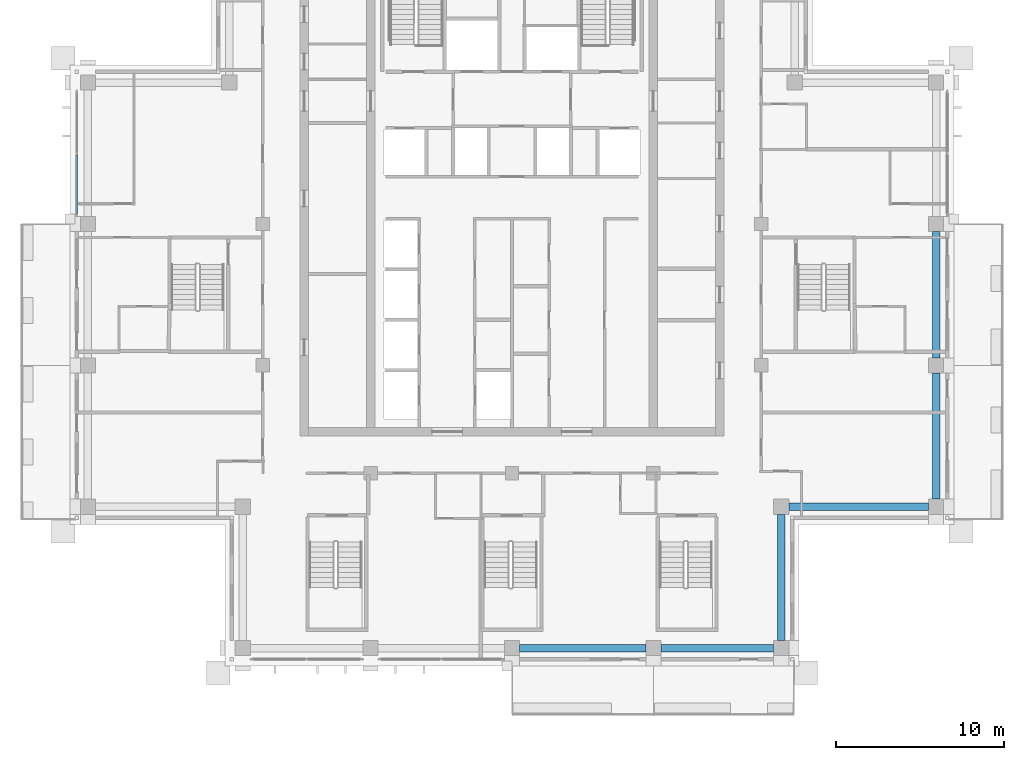
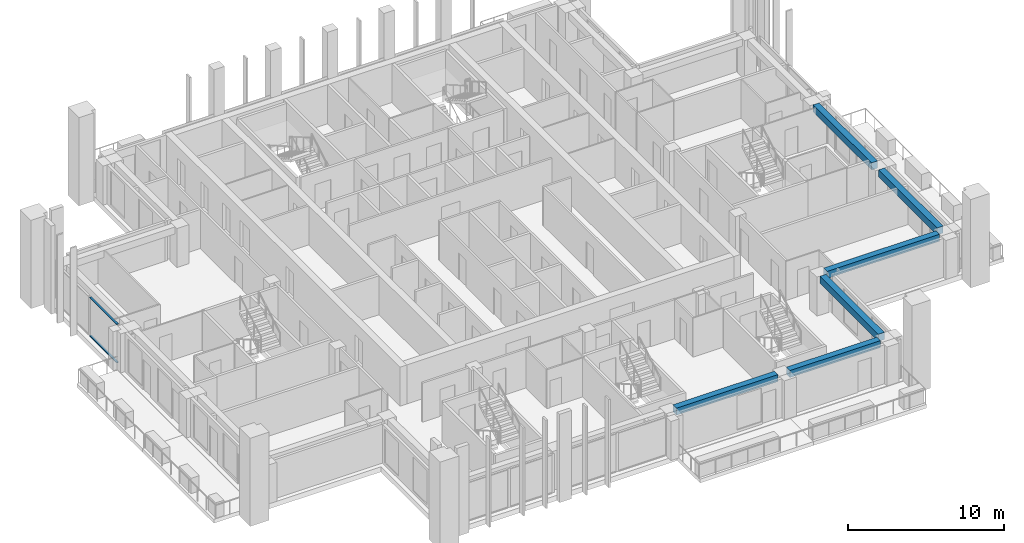
# One storey, part 3 of 18: 6 beams, 2 members, 1 element without a shape of its own.
"""IFC4 building model written with IfcOpenShell, lengths in metres."""

from ifc_helpers import new_model, si_unit, direction, frame, origin, origin_2d, place, context, subcontext, project, spatial, rectangle, extrude, material, material_profile, profile_set, type_object, element, aggregate, save


model = new_model("IFC4")

# Units and contexts
model_context = context("Model", 3, precision=1e-05, world=origin(), true_north=direction((0.0, 1.0)))
body_context = subcontext(model_context, "Body", "Model", "MODEL_VIEW")
ifc_project = project(units=[si_unit("LENGTHUNIT", "METRE"), si_unit("AREAUNIT", "SQUARE_METRE"), si_unit("VOLUMEUNIT", "CUBIC_METRE"), si_unit("PLANEANGLEUNIT", "RADIAN"), si_unit("MASSUNIT", "GRAM", prefix="KILO")], contexts=[model_context])

# Site, building, storey
site_placement = place(None, origin())
site = spatial("IfcSite", under=ifc_project, at=site_placement, CompositionType="ELEMENT")
building_placement = place(site_placement, origin())
building = spatial("IfcBuilding", under=site, at=building_placement, Name="Vermilion Ogive Tower", CompositionType="ELEMENT")
storey_placement = place(building_placement, frame((0.0, 0.0, 240.699951171875)))
storey = spatial("IfcBuildingStorey", under=building, at=storey_placement, Name="L63", CompositionType="ELEMENT", Elevation=240.699951171875)

# Curtain wall, members
ifc_material_1 = material(Name="Low-iron laminated glazing in aluminium frame", Category="aluminium")
curtain_wall_type = type_object("IfcCurtainWallType", Name="Curtain wall CW7", PredefinedType="NOTDEFINED", material=ifc_material_1)
curtain_wall_placement = place(storey_placement, origin())
curtain_wall = element("IfcCurtainWall", 1, at=curtain_wall_placement, inside=storey, type_object=curtain_wall_type, Name="Glazed skin W1", PredefinedType="NOTDEFINED")
ifc_material_2 = material(Name="Aluminium transom", Category="aluminium")
ifc_material_profile_1 = material_profile(ifc_material_2, rectangle(XDim=0.139892578125, YDim=0.06005859375, at=origin_2d()), Name="AL 60x140")
ifc_profile_set_1 = profile_set([ifc_material_profile_1], Name="Aluminium transom")
member_type = type_object("IfcMemberType", Name="CW7 transom 60x140", PredefinedType="USERDEFINED", material=ifc_profile_set_1)
member_1_placement = place(storey_placement, frame((-25.85009765625, 8.31005859375, 0.030029296875), z_axis=(0.0, -1.0, 0.0), x_axis=(1.0, 0.0, 0.0)))
member_1 = element("IfcMember", 2, at=member_1_placement, type_object=member_type, Name="CW7-W1 transom 2.1", ObjectType="TRANSOM", PredefinedType="USERDEFINED", context=body_context, shape_type="SweptSolid", body=[
    extrude(rectangle(XDim=0.139892578125, YDim=0.06005859375, at=origin_2d()), origin(), (0.0, 0.0, 1.0), 3.47998046875),
])
member_2_placement = place(storey_placement, frame((-25.85009765625, 8.31005859375, 3.02001953125), z_axis=(0.0, -1.0, 0.0), x_axis=(1.0, 0.0, 0.0)))
member_2 = element("IfcMember", 3, at=member_2_placement, type_object=member_type, Name="CW7-W1 transom 2.2", ObjectType="TRANSOM", PredefinedType="USERDEFINED", context=body_context, shape_type="SweptSolid", body=[
    extrude(rectangle(XDim=0.139892578125, YDim=0.06005859375, at=origin_2d()), origin(), (0.0, 0.0, 1.0), 3.47998046875),
])
aggregate(curtain_wall, [member_1, member_2])

# Beams
ifc_material_3 = material(Name="Concrete B45", Category="concrete")
ifc_material_profile_2 = material_profile(ifc_material_3, rectangle(XDim=0.449951171875, YDim=0.550048828125, at=origin_2d()), Name="450 x 550")
ifc_profile_set_2 = profile_set([ifc_material_profile_2], Name="Concrete B45")
beam_type = type_object("IfcBeamType", Name="Edge beam 450 x 550 B45", PredefinedType="BEAM", material=ifc_profile_set_2)
beam_1_placement = place(storey_placement, frame((0.449951171875, -21.0, 2.775146484375), z_axis=(1.0, 0.0, 0.0), x_axis=(0.0, 1.0, 0.0)))
element("IfcBeam", 4, at=beam_1_placement, inside=storey, type_object=beam_type, Name="L63-EB-3", PredefinedType="BEAM", context=body_context, shape_type="SweptSolid", body=[
    extrude(rectangle(XDim=0.449951171875, YDim=0.550048828125, at=origin_2d()), origin(), (0.0, 0.0, 1.0), 7.5),
])
beam_2_placement = place(storey_placement, frame((8.85009765625, -21.0, 2.775146484375), z_axis=(1.0, 0.0, 0.0), x_axis=(0.0, 1.0, 0.0)))
element("IfcBeam", 5, at=beam_2_placement, inside=storey, type_object=beam_type, Name="L63-EB-4", PredefinedType="BEAM", context=body_context, shape_type="SweptSolid", body=[
    extrude(rectangle(XDim=0.449951171875, YDim=0.550048828125, at=origin_2d()), origin(), (0.0, 0.0, 1.0), 6.699951171875),
])
beam_3_placement = place(storey_placement, frame((16.0, -20.550048828125, 2.775146484375), z_axis=(0.0, 1.0, 0.0), x_axis=(-1.0, 0.0, 0.0)))
element("IfcBeam", 6, at=beam_3_placement, inside=storey, type_object=beam_type, Name="L63-EB-5", PredefinedType="BEAM", context=body_context, shape_type="SweptSolid", body=[
    extrude(rectangle(XDim=0.449951171875, YDim=0.550048828125, at=origin_2d()), origin(), (0.0, 0.0, 1.0), 7.5),
])
beam_4_placement = place(storey_placement, frame((16.449951171875, -12.60009765625, 2.775146484375), z_axis=(1.0, 0.0, 0.0), x_axis=(0.0, 1.0, 0.0)))
element("IfcBeam", 7, at=beam_4_placement, inside=storey, type_object=beam_type, Name="L63-EB-6", PredefinedType="BEAM", context=body_context, shape_type="SweptSolid", body=[
    extrude(rectangle(XDim=0.449951171875, YDim=0.550048828125, at=origin_2d()), origin(), (0.0, 0.0, 1.0), 8.300048828125),
])
for number, where, z_axis, x_axis, name in (
    (8, (25.199951171875, -12.14990234375, 2.775146484375), (0.0, 1.0, 0.0), (-1.0, 0.0, 0.0), "L63-EB-7"),
    (9, (25.199951171875, -3.75, 2.775146484375), (0.0, 1.0, 0.0), (-1.0, 0.0, 0.0), "L63-EB-8"),
):
    element("IfcBeam", number, at=place(storey_placement, frame(where, z_axis=z_axis, x_axis=x_axis)), inside=storey, type_object=beam_type, Name=name, PredefinedType="BEAM", context=body_context, shape_type="SweptSolid", body=[
        extrude(rectangle(XDim=0.449951171875, YDim=0.550048828125, at=origin_2d()), origin(), (0.0, 0.0, 1.0), 7.5),
    ])

save(model, "model.ifc")
